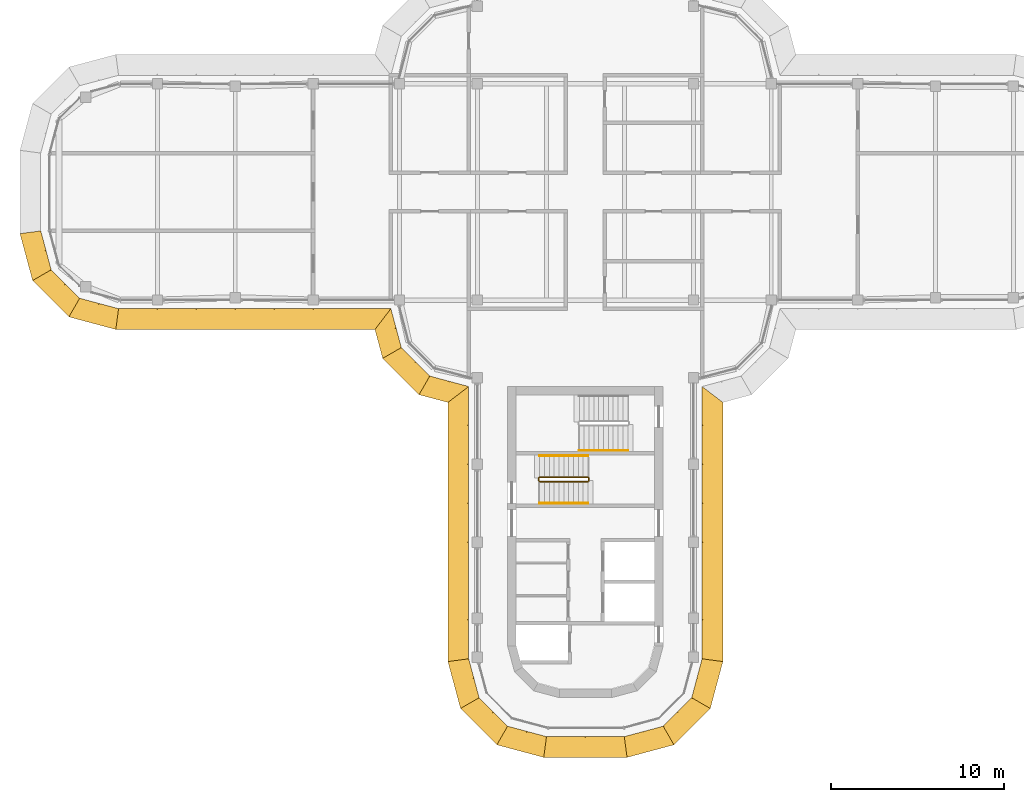
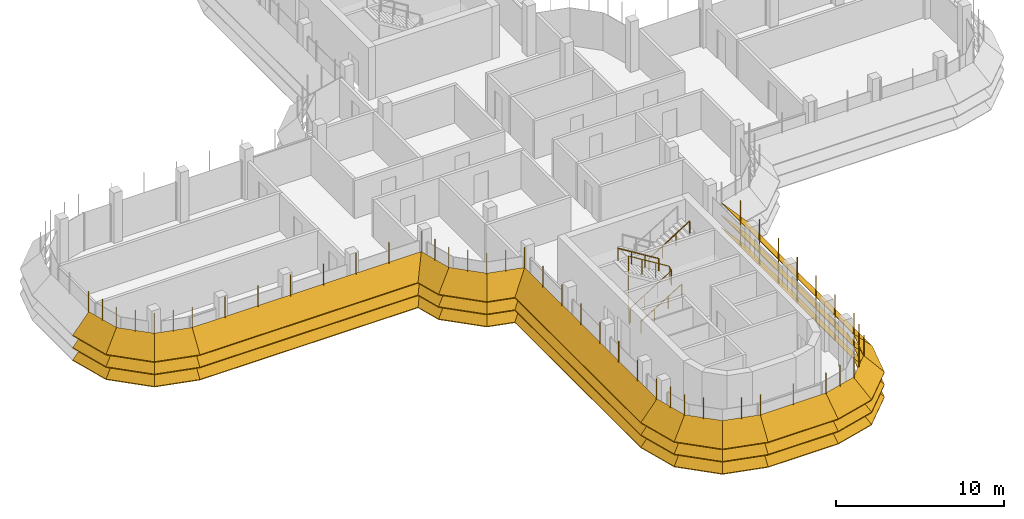
# One storey, part 16 of 19: 8 shading devices, 4 railings.
"""IFC4 building model written with IfcOpenShell, lengths in metres."""

from ifc_helpers import new_model, si_unit, direction, frame, origin, origin_2d, place, context, subcontext, project, spatial, polyline, circle, outline, extrude, faceted_brep, source, transform, mapped, material, type_object, element, save


model = new_model("IFC4")

# Units and contexts
model_context = context("Model", 3, precision=1e-05, world=origin(), true_north=direction((0.0, 1.0)))
body_context = subcontext(model_context, "Body", "Model", "MODEL_VIEW")
ifc_project = project(units=[si_unit("LENGTHUNIT", "METRE"), si_unit("AREAUNIT", "SQUARE_METRE"), si_unit("VOLUMEUNIT", "CUBIC_METRE"), si_unit("PLANEANGLEUNIT", "RADIAN"), si_unit("MASSUNIT", "GRAM", prefix="KILO")], contexts=[model_context])

# Site, building, storey
site_placement = place(None, origin())
site = spatial("IfcSite", under=ifc_project, at=site_placement, CompositionType="ELEMENT")
building_placement = place(site_placement, origin())
building = spatial("IfcBuilding", under=site, at=building_placement, Name="Zarbagh Exchange Tower", CompositionType="ELEMENT")
storey_placement = place(building_placement, frame((0.0, 0.0, 272.60009765625)))
storey = spatial("IfcBuildingStorey", under=building, at=storey_placement, Name="L67", CompositionType="ELEMENT", Elevation=272.60009765625)

# Railings
ifc_material_1 = material(Name="Stainless steel", Category="steel")
railing_type_1 = type_object("IfcRailingType", Name="Stair guard 1100 mm", PredefinedType="GUARDRAIL", material=ifc_material_1)
railing_1_placement = place(storey_placement, frame((-2.64990234375, -16.75, 0.172607421875)))
element("IfcRailing", 1, at=railing_1_placement, inside=storey, type_object=railing_type_1, Name="ST3 stair guard 1", PredefinedType="GUARDRAIL", context=body_context, shape_type="SweptSolid", body=[
    extrude(circle(Radius=0.02392578125, at=origin_2d()), frame((0.0, 0.0, 1.076171875), z_axis=(0.851069175582, 0.0, 0.525053576669), x_axis=(0.0, 1.0, 0.0)), (0.0, 0.0, 1.0), 3.289794921875),
    extrude(circle(Radius=0.02392578125, at=origin_2d()), frame((2.7998046875, 0.0, 2.80322265625), z_axis=(0.707106781187, 0.707106781187, 0.0), x_axis=(-0.707106781187, 0.707106781187, 0.0)), (0.0, 0.0, 1.0), 0.07080078125),
    extrude(circle(Radius=0.02392578125, at=origin_2d()), frame((2.849853515625, 0.050048828125, 2.80322265625), z_axis=(0.0, 1.0, 0.0), x_axis=(-1.0, 0.0, 0.0)), (0.0, 0.0, 1.0), 0.14990234375),
    extrude(circle(Radius=0.02392578125, at=origin_2d()), frame((2.849853515625, 0.199951171875, 2.80322265625), z_axis=(-0.268277960024, 0.268277960024, 0.925231793839), x_axis=(-0.707106781187, -0.707106781187, 0.0)), (0.0, 0.0, 1.0), 0.1865234375),
    extrude(circle(Radius=0.02392578125, at=origin_2d()), frame((2.7998046875, 0.25, 2.97607421875), z_axis=(-0.851069175582, 0.0, 0.525053576669), x_axis=(0.0, -1.0, 0.0)), (0.0, 0.0, 1.0), 3.289794921875),
    extrude(circle(Radius=0.02392578125, at=origin_2d()), frame((0.0, 0.25, 4.703125), z_axis=(-0.013169136761, -0.013169136761, -0.999826558796), x_axis=(0.707106781187, -0.707106781187, 0.0)), (0.0, 0.0, 1.0), 3.800537109375),
    extrude(circle(Radius=0.02392578125, at=origin_2d()), frame((-0.050048828125, 0.199951171875, 0.9033203125), z_axis=(0.0, -1.0, 0.0), x_axis=(1.0, 0.0, 0.0)), (0.0, 0.0, 1.0), 0.14990234375),
    extrude(circle(Radius=0.02099609375, at=origin_2d()), origin(), (0.0, 0.0, 1.0), 1.052001953125),
    extrude(circle(Radius=0.02099609375, at=origin_2d()), frame((0.933349609375, 0.0, 0.57568359375)), (0.0, 0.0, 1.0), 1.052001953125),
    extrude(circle(Radius=0.02099609375, at=origin_2d()), frame((1.866455078125, 0.0, 1.151611328125)), (0.0, 0.0, 1.0), 1.052001953125),
    extrude(circle(Radius=0.02099609375, at=origin_2d()), frame((2.7998046875, 0.0, 1.727294921875)), (0.0, 0.0, 1.0), 1.052001953125),
    extrude(circle(Radius=0.02099609375, at=origin_2d()), frame((2.849853515625, 0.050048828125, 1.727294921875)), (0.0, 0.0, 1.0), 1.052001953125),
    extrude(circle(Radius=0.02099609375, at=origin_2d()), frame((2.849853515625, 0.199951171875, 1.727294921875)), (0.0, 0.0, 1.0), 1.052001953125),
    extrude(circle(Radius=0.02099609375, at=origin_2d()), frame((2.7998046875, 0.25, 1.89990234375)), (0.0, 0.0, 1.0), 1.052001953125),
    extrude(circle(Radius=0.02099609375, at=origin_2d()), frame((1.866455078125, 0.25, 2.4755859375)), (0.0, 0.0, 1.0), 1.052001953125),
    extrude(circle(Radius=0.02099609375, at=origin_2d()), frame((0.933349609375, 0.25, 3.051513671875)), (0.0, 0.0, 1.0), 1.052001953125),
    extrude(circle(Radius=0.02099609375, at=origin_2d()), frame((0.0, 0.25, 3.627197265625)), (0.0, 0.0, 1.0), 1.052001953125),
    extrude(circle(Radius=0.02099609375, at=origin_2d()), frame((-0.012451171875, 0.237548828125, 2.67724609375)), (0.0, 0.0, 1.0), 1.052001953125),
    extrude(circle(Radius=0.02099609375, at=origin_2d()), frame((-0.02490234375, 0.22509765625, 1.727294921875)), (0.0, 0.0, 1.0), 1.052001953125),
    extrude(circle(Radius=0.02099609375, at=origin_2d()), frame((-0.03759765625, 0.21240234375, 0.77734375)), (0.0, 0.0, 1.0), 1.052001953125),
    extrude(circle(Radius=0.02099609375, at=origin_2d()), frame((-0.050048828125, 0.199951171875, -0.172607421875)), (0.0, 0.0, 1.0), 1.052001953125),
    extrude(circle(Radius=0.02099609375, at=origin_2d()), frame((-0.050048828125, 0.050048828125, -0.172607421875)), (0.0, 0.0, 1.0), 1.052001953125),
])
railing_type_2 = type_object("IfcRailingType", Name="Stair handrail 900 mm", PredefinedType="HANDRAIL", material=ifc_material_1)
railing_2_placement = place(storey_placement, frame((-2.64990234375, -18.0, 0.172607421875)))
element("IfcRailing", 2, at=railing_2_placement, inside=storey, type_object=railing_type_2, Name="ST3 stair handrail 1", PredefinedType="HANDRAIL", context=body_context, shape_type="SweptSolid", body=[
    extrude(circle(Radius=0.02392578125, at=origin_2d()), frame((0.0, 0.0, 0.8759765625), z_axis=(0.851069175582, 0.0, 0.525053576669), x_axis=(0.0, 1.0, 0.0)), (0.0, 0.0, 1.0), 3.289794921875),
    extrude(circle(Radius=0.02099609375, at=origin_2d()), origin(), (0.0, 0.0, 1.0), 0.851806640625),
    extrude(circle(Radius=0.02099609375, at=origin_2d()), frame((0.933349609375, 0.0, 0.57568359375)), (0.0, 0.0, 1.0), 0.851806640625),
    extrude(circle(Radius=0.02099609375, at=origin_2d()), frame((1.866455078125, 0.0, 1.151611328125)), (0.0, 0.0, 1.0), 0.851806640625),
    extrude(circle(Radius=0.02099609375, at=origin_2d()), frame((2.7998046875, 0.0, 1.727294921875)), (0.0, 0.0, 1.0), 0.851806640625),
])
railing_3_placement = place(storey_placement, frame((0.14990234375, -15.25, 2.072509765625)))
element("IfcRailing", 3, at=railing_3_placement, inside=storey, type_object=railing_type_2, Name="ST3 stair handrail 2", PredefinedType="HANDRAIL", context=body_context, shape_type="SweptSolid", body=[
    extrude(circle(Radius=0.02392578125, at=origin_2d()), frame((0.0, 0.0, 0.8759765625), z_axis=(-0.851069175582, 0.0, 0.525053576669), x_axis=(0.0, -1.0, 0.0)), (0.0, 0.0, 1.0), 3.289794921875),
    extrude(circle(Radius=0.02099609375, at=origin_2d()), origin(), (0.0, 0.0, 1.0), 0.851806640625),
    extrude(circle(Radius=0.02099609375, at=origin_2d()), frame((-0.933349609375, 0.0, 0.57568359375)), (0.0, 0.0, 1.0), 0.851806640625),
    extrude(circle(Radius=0.02099609375, at=origin_2d()), frame((-1.866455078125, 0.0, 1.151611328125)), (0.0, 0.0, 1.0), 0.851806640625),
    extrude(circle(Radius=0.02099609375, at=origin_2d()), frame((-2.7998046875, 0.0, 1.727294921875)), (0.0, 0.0, 1.0), 0.851806640625),
])
railing_4_placement = place(storey_placement, frame((-0.35009765625, -14.949951171875, 2.072509765625)))
element("IfcRailing", 4, at=railing_4_placement, inside=storey, type_object=railing_type_2, Name="ST4 stair handrail 2", PredefinedType="HANDRAIL", context=body_context, shape_type="SweptSolid", body=[
    extrude(circle(Radius=0.02392578125, at=origin_2d()), frame((0.0, 0.0, 0.8759765625), z_axis=(0.851089632645, 0.0, 0.525020415988), x_axis=(0.0, 1.0, 0.0)), (0.0, 0.0, 1.0), 3.2900390625),
    extrude(circle(Radius=0.02099609375, at=origin_2d()), origin(), (0.0, 0.0, 1.0), 0.851806640625),
    extrude(circle(Radius=0.02099609375, at=origin_2d()), frame((0.933349609375, 0.0, 0.57568359375)), (0.0, 0.0, 1.0), 0.851806640625),
    extrude(circle(Radius=0.02099609375, at=origin_2d()), frame((1.86669921875, 0.0, 1.151611328125)), (0.0, 0.0, 1.0), 0.851806640625),
    extrude(circle(Radius=0.02099609375, at=origin_2d()), frame((2.800048828125, 0.0, 1.727294921875)), (0.0, 0.0, 1.0), 0.851806640625),
])

# Shading devices
ifc_material_2 = material(Name="Anodised aluminium blades and brackets", Category="aluminium")
shading_device_type = type_object("IfcShadingDeviceType", Name="SUNSHADE louvre band, 45 degree blades", PredefinedType="JALOUSIE", material=ifc_material_2)
shared_shape_1 = source(origin(), body_context, "Body", "Brep", [
    faceted_brep([(0.0, 0.0, 0.0), (0.0, 0.0, -0.056640625), (-0.157958984375, -1.199951171875, -1.256591796875), (-0.157958984375, -1.199951171875, -1.199951171875), (2.65087890625, -1.199951171875, -1.199951171875), (2.65087890625, -1.199951171875, -1.256591796875), (2.329345703125, 0.0, -0.056640625), (2.329345703125, 0.0, 0.0)], [[[0, 1, 2, 3]], [[4, 5, 6, 7]], [[0, 7, 6, 1]], [[1, 6, 5, 2]], [[2, 5, 4, 3]], [[3, 4, 7, 0]]]),
])
shared_shape_2 = source(origin(), body_context, "Body", "Brep", [
    faceted_brep([(0.0, 0.0, 0.0), (0.0, 0.0, -0.056640625), (-0.321533203125, -1.199951171875, -1.256591796875), (-0.321533203125, -1.199951171875, -1.199951171875), (2.65087890625, -1.199951171875, -1.199951171875), (2.65087890625, -1.199951171875, -1.256591796875), (2.329345703125, 0.0, -0.056640625), (2.329345703125, 0.0, 0.0)], [[[0, 1, 2, 3]], [[4, 5, 6, 7]], [[0, 7, 6, 1]], [[1, 6, 5, 2]], [[2, 5, 4, 3]], [[3, 4, 7, 0]]]),
])
shared_shape_3 = source(origin(), body_context, "Body", "Brep", [
    faceted_brep([(0.0, 0.0, 0.0), (0.0, 0.0, -0.056640625), (-0.321533203125, -1.199951171875, -1.256591796875), (-0.321533203125, -1.199951171875, -1.199951171875), (2.4873046875, -1.199951171875, -1.199951171875), (2.4873046875, -1.199951171875, -1.256591796875), (2.329345703125, 0.0, -0.056640625), (2.329345703125, 0.0, 0.0)], [[[0, 1, 2, 3]], [[4, 5, 6, 7]], [[0, 7, 6, 1]], [[1, 6, 5, 2]], [[2, 5, 4, 3]], [[3, 4, 7, 0]]]),
])
shared_shape_4 = source(origin(), body_context, "Body", "SweptSolid", [
    extrude(outline(polyline([(0.0, -0.012451171875), (0.06005859375, -0.012451171875), (0.06005859375, 0.012451171875), (0.0, 0.012451171875), (0.0, -0.012451171875)])), origin(), (0.0, 0.0, 1.0), 3.366455078125),
])
placement = place(storey_placement, origin())
element("IfcShadingDevice", 5, at=placement, inside=storey, type_object=shading_device_type, Name="SS35 sunshade band", PredefinedType="JALOUSIE", context=body_context, shape_type="MappedRepresentation", body=[
    mapped(shared_shape_1, transform((2.25, -31.5, 2.2998046875), x_axis=(0.965924289636, 0.258824779902, 0.0), y_axis=(-0.258824779902, 0.965924289636, 0.0), z_axis=(0.0, 0.0, 1.0))),
    mapped(shared_shape_1, transform((2.25, -31.5, 1.39990234375), x_axis=(0.965924289636, 0.258824779902, 0.0), y_axis=(-0.258824779902, 0.965924289636, 0.0), z_axis=(0.0, 0.0, 1.0))),
    mapped(shared_shape_1, transform((2.25, -31.5, 0.5), x_axis=(0.965924289636, 0.258824779902, 0.0), y_axis=(-0.258824779902, 0.965924289636, 0.0), z_axis=(0.0, 0.0, 1.0))),
    mapped(shared_shape_2, transform((4.5, -30.897216796875, 2.2998046875), x_axis=(0.707106781187, 0.707106781187, 0.0), y_axis=(-0.707106781187, 0.707106781187, 0.0), z_axis=(0.0, 0.0, 1.0))),
    mapped(shared_shape_2, transform((4.5, -30.897216796875, 1.39990234375), x_axis=(0.707106781187, 0.707106781187, 0.0), y_axis=(-0.707106781187, 0.707106781187, 0.0), z_axis=(0.0, 0.0, 1.0))),
    mapped(shared_shape_2, transform((4.5, -30.897216796875, 0.5), x_axis=(0.707106781187, 0.707106781187, 0.0), y_axis=(-0.707106781187, 0.707106781187, 0.0), z_axis=(0.0, 0.0, 1.0))),
    mapped(shared_shape_3, transform((6.147216796875, -29.25, 2.2998046875), x_axis=(0.258824779902, 0.965924289636, 0.0), y_axis=(-0.965924289636, 0.258824779902, 0.0), z_axis=(0.0, 0.0, 1.0))),
    mapped(shared_shape_3, transform((6.147216796875, -29.25, 1.39990234375), x_axis=(0.258824779902, 0.965924289636, 0.0), y_axis=(-0.965924289636, 0.258824779902, 0.0), z_axis=(0.0, 0.0, 1.0))),
    mapped(shared_shape_3, transform((6.147216796875, -29.25, 0.5), x_axis=(0.258824779902, 0.965924289636, 0.0), y_axis=(-0.965924289636, 0.258824779902, 0.0), z_axis=(0.0, 0.0, 1.0))),
    mapped(shared_shape_4, transform((2.25, -31.5, 0.413330078125), x_axis=(0.130529263012, -0.991444457092, 0.0), y_axis=(0.991444457092, 0.130529263012, 0.0), z_axis=(0.0, 0.0, 1.0))),
    mapped(shared_shape_4, transform((3.375, -31.198486328125, 0.413330078125), x_axis=(0.258825058029, -0.96592421511, 0.0), y_axis=(0.96592421511, 0.258825058029, 0.0), z_axis=(0.0, 0.0, 1.0))),
    mapped(shared_shape_4, transform((4.5, -30.897216796875, 0.413330078125), x_axis=(0.50000275701, -0.866023812018, 0.0), y_axis=(0.866023812018, 0.50000275701, 0.0), z_axis=(0.0, 0.0, 1.0))),
    mapped(shared_shape_4, transform((5.323486328125, -30.073486328125, 0.413330078125), x_axis=(0.707106781187, -0.707106781187, 0.0), y_axis=(0.707106781187, 0.707106781187, 0.0), z_axis=(0.0, 0.0, 1.0))),
    mapped(shared_shape_4, transform((6.147216796875, -29.25, 0.413330078125), x_axis=(0.866023812018, -0.50000275701, 0.0), y_axis=(0.50000275701, 0.866023812018, 0.0), z_axis=(0.0, 0.0, 1.0))),
    mapped(shared_shape_4, transform((6.448486328125, -28.125, 0.413330078125), x_axis=(0.96592421511, -0.258825058029, 0.0), y_axis=(0.258825058029, 0.96592421511, 0.0), z_axis=(0.0, 0.0, 1.0))),
])
element("IfcShadingDevice", 6, at=placement, inside=storey, type_object=shading_device_type, Name="SS43 sunshade band", PredefinedType="JALOUSIE", context=body_context, shape_type="MappedRepresentation", body=[
    mapped(shared_shape_1, transform((-31.5, -2.25, 2.2998046875), x_axis=(0.258824779902, -0.965924289636, 0.0), y_axis=(0.965924289636, 0.258824779902, 0.0), z_axis=(0.0, 0.0, 1.0))),
    mapped(shared_shape_1, transform((-31.5, -2.25, 1.39990234375), x_axis=(0.258824779902, -0.965924289636, 0.0), y_axis=(0.965924289636, 0.258824779902, 0.0), z_axis=(0.0, 0.0, 1.0))),
    mapped(shared_shape_1, transform((-31.5, -2.25, 0.5), x_axis=(0.258824779902, -0.965924289636, 0.0), y_axis=(0.965924289636, 0.258824779902, 0.0), z_axis=(0.0, 0.0, 1.0))),
    mapped(shared_shape_2, transform((-30.897216796875, -4.5, 2.2998046875), x_axis=(0.707106781187, -0.707106781187, 0.0), y_axis=(0.707106781187, 0.707106781187, 0.0), z_axis=(0.0, 0.0, 1.0))),
    mapped(shared_shape_2, transform((-30.897216796875, -4.5, 1.39990234375), x_axis=(0.707106781187, -0.707106781187, 0.0), y_axis=(0.707106781187, 0.707106781187, 0.0), z_axis=(0.0, 0.0, 1.0))),
    mapped(shared_shape_2, transform((-30.897216796875, -4.5, 0.5), x_axis=(0.707106781187, -0.707106781187, 0.0), y_axis=(0.707106781187, 0.707106781187, 0.0), z_axis=(0.0, 0.0, 1.0))),
    mapped(shared_shape_3, transform((-29.25, -6.147216796875, 2.2998046875), x_axis=(0.965924289636, -0.258824779902, 0.0), y_axis=(0.258824779902, 0.965924289636, 0.0), z_axis=(0.0, 0.0, 1.0))),
    mapped(shared_shape_3, transform((-29.25, -6.147216796875, 1.39990234375), x_axis=(0.965924289636, -0.258824779902, 0.0), y_axis=(0.258824779902, 0.965924289636, 0.0), z_axis=(0.0, 0.0, 1.0))),
    mapped(shared_shape_3, transform((-29.25, -6.147216796875, 0.5), x_axis=(0.965924289636, -0.258824779902, 0.0), y_axis=(0.258824779902, 0.965924289636, 0.0), z_axis=(0.0, 0.0, 1.0))),
    mapped(shared_shape_4, transform((-31.5, -2.25, 0.413330078125), x_axis=(-0.991444457092, -0.130529263012, 0.0), y_axis=(0.130529263012, -0.991444457092, 0.0), z_axis=(0.0, 0.0, 1.0))),
    mapped(shared_shape_4, transform((-31.198486328125, -3.375, 0.413330078125), x_axis=(-0.96592421511, -0.258825058029, 0.0), y_axis=(0.258825058029, -0.96592421511, 0.0), z_axis=(0.0, 0.0, 1.0))),
    mapped(shared_shape_4, transform((-30.897216796875, -4.5, 0.413330078125), x_axis=(-0.866023812018, -0.50000275701, 0.0), y_axis=(0.50000275701, -0.866023812018, 0.0), z_axis=(0.0, 0.0, 1.0))),
    mapped(shared_shape_4, transform((-30.073486328125, -5.323486328125, 0.413330078125), x_axis=(-0.707106781187, -0.707106781187, 0.0), y_axis=(0.707106781187, -0.707106781187, 0.0), z_axis=(0.0, 0.0, 1.0))),
    mapped(shared_shape_4, transform((-29.25, -6.147216796875, 0.413330078125), x_axis=(-0.50000275701, -0.866023812018, 0.0), y_axis=(0.866023812018, -0.50000275701, 0.0), z_axis=(0.0, 0.0, 1.0))),
    mapped(shared_shape_4, transform((-28.125, -6.448486328125, 0.413330078125), x_axis=(-0.258825058029, -0.96592421511, 0.0), y_axis=(0.96592421511, -0.258825058029, 0.0), z_axis=(0.0, 0.0, 1.0))),
])
element("IfcShadingDevice", 7, at=placement, inside=storey, type_object=shading_device_type, Name="SS38 sunshade band", PredefinedType="JALOUSIE", context=body_context, shape_type="MappedRepresentation", body=[
    mapped(shared_shape_1, transform((-6.75, -27.0, 2.2998046875), x_axis=(0.258824779902, -0.965924289636, 0.0), y_axis=(0.965924289636, 0.258824779902, 0.0), z_axis=(0.0, 0.0, 1.0))),
    mapped(shared_shape_1, transform((-6.75, -27.0, 1.39990234375), x_axis=(0.258824779902, -0.965924289636, 0.0), y_axis=(0.965924289636, 0.258824779902, 0.0), z_axis=(0.0, 0.0, 1.0))),
    mapped(shared_shape_1, transform((-6.75, -27.0, 0.5), x_axis=(0.258824779902, -0.965924289636, 0.0), y_axis=(0.965924289636, 0.258824779902, 0.0), z_axis=(0.0, 0.0, 1.0))),
    mapped(shared_shape_2, transform((-6.147216796875, -29.25, 2.2998046875), x_axis=(0.707106781187, -0.707106781187, 0.0), y_axis=(0.707106781187, 0.707106781187, 0.0), z_axis=(0.0, 0.0, 1.0))),
    mapped(shared_shape_2, transform((-6.147216796875, -29.25, 1.39990234375), x_axis=(0.707106781187, -0.707106781187, 0.0), y_axis=(0.707106781187, 0.707106781187, 0.0), z_axis=(0.0, 0.0, 1.0))),
    mapped(shared_shape_2, transform((-6.147216796875, -29.25, 0.5), x_axis=(0.707106781187, -0.707106781187, 0.0), y_axis=(0.707106781187, 0.707106781187, 0.0), z_axis=(0.0, 0.0, 1.0))),
    mapped(shared_shape_3, transform((-4.5, -30.897216796875, 2.2998046875), x_axis=(0.965924289636, -0.258824779902, 0.0), y_axis=(0.258824779902, 0.965924289636, 0.0), z_axis=(0.0, 0.0, 1.0))),
    mapped(shared_shape_3, transform((-4.5, -30.897216796875, 1.39990234375), x_axis=(0.965924289636, -0.258824779902, 0.0), y_axis=(0.258824779902, 0.965924289636, 0.0), z_axis=(0.0, 0.0, 1.0))),
    mapped(shared_shape_3, transform((-4.5, -30.897216796875, 0.5), x_axis=(0.965924289636, -0.258824779902, 0.0), y_axis=(0.258824779902, 0.965924289636, 0.0), z_axis=(0.0, 0.0, 1.0))),
    mapped(shared_shape_4, transform((-6.75, -27.0, 0.413330078125), x_axis=(-0.991444457092, -0.130529263012, 0.0), y_axis=(0.130529263012, -0.991444457092, 0.0), z_axis=(0.0, 0.0, 1.0))),
    mapped(shared_shape_4, transform((-6.448486328125, -28.125, 0.413330078125), x_axis=(-0.96592421511, -0.258825058029, 0.0), y_axis=(0.258825058029, -0.96592421511, 0.0), z_axis=(0.0, 0.0, 1.0))),
    mapped(shared_shape_4, transform((-6.147216796875, -29.25, 0.413330078125), x_axis=(-0.866023812018, -0.50000275701, 0.0), y_axis=(0.50000275701, -0.866023812018, 0.0), z_axis=(0.0, 0.0, 1.0))),
    mapped(shared_shape_4, transform((-5.323486328125, -30.073486328125, 0.413330078125), x_axis=(-0.707106781187, -0.707106781187, 0.0), y_axis=(0.707106781187, -0.707106781187, 0.0), z_axis=(0.0, 0.0, 1.0))),
    mapped(shared_shape_4, transform((-4.5, -30.897216796875, 0.413330078125), x_axis=(-0.50000275701, -0.866023812018, 0.0), y_axis=(0.866023812018, -0.50000275701, 0.0), z_axis=(0.0, 0.0, 1.0))),
    mapped(shared_shape_4, transform((-3.375, -31.198486328125, 0.413330078125), x_axis=(-0.258825058029, -0.96592421511, 0.0), y_axis=(0.96592421511, -0.258825058029, 0.0), z_axis=(0.0, 0.0, 1.0))),
])
shared_shape_5 = source(origin(), body_context, "Body", "Brep", [
    faceted_brep([(0.0, 0.0, 0.0), (0.0, 0.0, -0.056640625), (0.9208984375, -1.199951171875, -1.256591796875), (0.9208984375, -1.199951171875, -1.199951171875), (2.65087890625, -1.199951171875, -1.199951171875), (2.65087890625, -1.199951171875, -1.256591796875), (2.329345703125, 0.0, -0.056640625), (2.329345703125, 0.0, 0.0)], [[[0, 1, 2, 3]], [[4, 5, 6, 7]], [[0, 7, 6, 1]], [[1, 6, 5, 2]], [[2, 5, 4, 3]], [[3, 4, 7, 0]]]),
])
shared_shape_6 = source(origin(), body_context, "Body", "Brep", [
    faceted_brep([(0.0, 0.0, 0.0), (0.0, 0.0, -0.056640625), (-0.321533203125, -1.199951171875, -1.256591796875), (-0.321533203125, -1.199951171875, -1.199951171875), (1.40869140625, -1.199951171875, -1.199951171875), (1.40869140625, -1.199951171875, -1.256591796875), (2.329345703125, 0.0, -0.056640625), (2.329345703125, 0.0, 0.0)], [[[0, 1, 2, 3]], [[4, 5, 6, 7]], [[0, 7, 6, 1]], [[1, 6, 5, 2]], [[2, 5, 4, 3]], [[3, 4, 7, 0]]]),
])
element("IfcShadingDevice", 8, at=placement, inside=storey, type_object=shading_device_type, Name="SS21 sunshade band", PredefinedType="JALOUSIE", context=body_context, shape_type="MappedRepresentation", body=[
    mapped(shared_shape_5, transform((-11.25, -6.75, 2.2998046875), x_axis=(0.258824779902, -0.965924289636, 0.0), y_axis=(0.965924289636, 0.258824779902, 0.0), z_axis=(0.0, 0.0, 1.0))),
    mapped(shared_shape_5, transform((-11.25, -6.75, 1.39990234375), x_axis=(0.258824779902, -0.965924289636, 0.0), y_axis=(0.965924289636, 0.258824779902, 0.0), z_axis=(0.0, 0.0, 1.0))),
    mapped(shared_shape_5, transform((-11.25, -6.75, 0.5), x_axis=(0.258824779902, -0.965924289636, 0.0), y_axis=(0.965924289636, 0.258824779902, 0.0), z_axis=(0.0, 0.0, 1.0))),
    mapped(shared_shape_2, transform((-10.647216796875, -9.0, 2.2998046875), x_axis=(0.707106781187, -0.707106781187, 0.0), y_axis=(0.707106781187, 0.707106781187, 0.0), z_axis=(0.0, 0.0, 1.0))),
    mapped(shared_shape_2, transform((-10.647216796875, -9.0, 1.39990234375), x_axis=(0.707106781187, -0.707106781187, 0.0), y_axis=(0.707106781187, 0.707106781187, 0.0), z_axis=(0.0, 0.0, 1.0))),
    mapped(shared_shape_2, transform((-10.647216796875, -9.0, 0.5), x_axis=(0.707106781187, -0.707106781187, 0.0), y_axis=(0.707106781187, 0.707106781187, 0.0), z_axis=(0.0, 0.0, 1.0))),
    mapped(shared_shape_6, transform((-9.0, -10.647216796875, 2.2998046875), x_axis=(0.965924289636, -0.258824779902, 0.0), y_axis=(0.258824779902, 0.965924289636, 0.0), z_axis=(0.0, 0.0, 1.0))),
    mapped(shared_shape_6, transform((-9.0, -10.647216796875, 1.39990234375), x_axis=(0.965924289636, -0.258824779902, 0.0), y_axis=(0.258824779902, 0.965924289636, 0.0), z_axis=(0.0, 0.0, 1.0))),
    mapped(shared_shape_6, transform((-9.0, -10.647216796875, 0.5), x_axis=(0.965924289636, -0.258824779902, 0.0), y_axis=(0.258824779902, 0.965924289636, 0.0), z_axis=(0.0, 0.0, 1.0))),
    mapped(shared_shape_4, transform((-11.25, -6.75, 0.413330078125), x_axis=(-0.608758892, -0.793355287, 0.0), y_axis=(0.793355287, -0.608758892, 0.0), z_axis=(0.0, 0.0, 1.0))),
    mapped(shared_shape_4, transform((-10.948486328125, -7.875, 0.413330078125), x_axis=(-0.96592421511, -0.258825058029, 0.0), y_axis=(0.258825058029, -0.96592421511, 0.0), z_axis=(0.0, 0.0, 1.0))),
    mapped(shared_shape_4, transform((-10.647216796875, -9.0, 0.413330078125), x_axis=(-0.866023812018, -0.50000275701, 0.0), y_axis=(0.50000275701, -0.866023812018, 0.0), z_axis=(0.0, 0.0, 1.0))),
    mapped(shared_shape_4, transform((-9.823486328125, -9.823486328125, 0.413330078125), x_axis=(-0.707106781187, -0.707106781187, 0.0), y_axis=(0.707106781187, -0.707106781187, 0.0), z_axis=(0.0, 0.0, 1.0))),
    mapped(shared_shape_4, transform((-9.0, -10.647216796875, 0.413330078125), x_axis=(-0.50000275701, -0.866023812018, 0.0), y_axis=(0.866023812018, -0.50000275701, 0.0), z_axis=(0.0, 0.0, 1.0))),
    mapped(shared_shape_4, transform((-7.875, -10.948486328125, 0.413330078125), x_axis=(-0.258825058029, -0.96592421511, 0.0), y_axis=(0.96592421511, -0.258825058029, 0.0), z_axis=(0.0, 0.0, 1.0))),
])
shared_shape_7 = source(origin(), body_context, "Body", "Brep", [
    faceted_brep([(0.0, 0.0, 0.0), (0.0, 0.0, -0.056640625), (-0.157958984375, -1.199951171875, -1.256591796875), (-0.157958984375, -1.199951171875, -1.199951171875), (14.8291015625, -1.199951171875, -1.199951171875), (14.8291015625, -1.199951171875, -1.256591796875), (15.75, 0.0, -0.056640625), (15.75, 0.0, 0.0)], [[[0, 1, 2, 3]], [[4, 5, 6, 7]], [[0, 7, 6, 1]], [[1, 6, 5, 2]], [[2, 5, 4, 3]], [[3, 4, 7, 0]]]),
])
element("IfcShadingDevice", 9, at=placement, inside=storey, type_object=shading_device_type, Name="SS36 sunshade band", PredefinedType="JALOUSIE", context=body_context, shape_type="MappedRepresentation", body=[
    mapped(shared_shape_7, transform((6.75, -27.0, 2.2998046875), x_axis=(0.0, 1.0, 0.0), y_axis=(-1.0, 0.0, 0.0), z_axis=(0.0, 0.0, 1.0))),
    mapped(shared_shape_7, transform((6.75, -27.0, 1.39990234375), x_axis=(0.0, 1.0, 0.0), y_axis=(-1.0, 0.0, 0.0), z_axis=(0.0, 0.0, 1.0))),
    mapped(shared_shape_7, transform((6.75, -27.0, 0.5), x_axis=(0.0, 1.0, 0.0), y_axis=(-1.0, 0.0, 0.0), z_axis=(0.0, 0.0, 1.0))),
    mapped(shared_shape_4, transform((6.75, -27.0, 0.413330078125), x_axis=(0.991444457092, -0.130529263012, 0.0), y_axis=(0.130529263012, 0.991444457092, 0.0), z_axis=(0.0, 0.0, 1.0))),
    mapped(shared_shape_4, transform((6.75, -24.75, 0.413330078125), x_axis=(1.0, 0.0, 0.0), y_axis=(0.0, 1.0, 0.0), z_axis=(0.0, 0.0, 1.0))),
    mapped(shared_shape_4, transform((6.75, -22.5, 0.413330078125), x_axis=(1.0, 0.0, 0.0), y_axis=(0.0, 1.0, 0.0), z_axis=(0.0, 0.0, 1.0))),
    mapped(shared_shape_4, transform((6.75, -20.25, 0.413330078125), x_axis=(1.0, 0.0, 0.0), y_axis=(0.0, 1.0, 0.0), z_axis=(0.0, 0.0, 1.0))),
    mapped(shared_shape_4, transform((6.75, -18.0, 0.413330078125), x_axis=(1.0, 0.0, 0.0), y_axis=(0.0, 1.0, 0.0), z_axis=(0.0, 0.0, 1.0))),
    mapped(shared_shape_4, transform((6.75, -15.75, 0.413330078125), x_axis=(1.0, 0.0, 0.0), y_axis=(0.0, 1.0, 0.0), z_axis=(0.0, 0.0, 1.0))),
    mapped(shared_shape_4, transform((6.75, -13.5, 0.413330078125), x_axis=(1.0, 0.0, 0.0), y_axis=(0.0, 1.0, 0.0), z_axis=(0.0, 0.0, 1.0))),
])
element("IfcShadingDevice", 10, at=placement, inside=storey, type_object=shading_device_type, Name="SS44 sunshade band", PredefinedType="JALOUSIE", context=body_context, shape_type="MappedRepresentation", body=[
    mapped(shared_shape_7, transform((-27.0, -6.75, 2.2998046875), x_axis=(1.0, 0.0, 0.0), y_axis=(0.0, 1.0, 0.0), z_axis=(0.0, 0.0, 1.0))),
    mapped(shared_shape_7, transform((-27.0, -6.75, 1.39990234375), x_axis=(1.0, 0.0, 0.0), y_axis=(0.0, 1.0, 0.0), z_axis=(0.0, 0.0, 1.0))),
    mapped(shared_shape_7, transform((-27.0, -6.75, 0.5), x_axis=(1.0, 0.0, 0.0), y_axis=(0.0, 1.0, 0.0), z_axis=(0.0, 0.0, 1.0))),
    mapped(shared_shape_4, transform((-27.0, -6.75, 0.413330078125), x_axis=(-0.130529263012, -0.991444457092, 0.0), y_axis=(0.991444457092, -0.130529263012, 0.0), z_axis=(0.0, 0.0, 1.0))),
    mapped(shared_shape_4, transform((-24.75, -6.75, 0.413330078125), x_axis=(0.0, -1.0, 0.0), y_axis=(1.0, 0.0, 0.0), z_axis=(0.0, 0.0, 1.0))),
    mapped(shared_shape_4, transform((-22.5, -6.75, 0.413330078125), x_axis=(0.0, -1.0, 0.0), y_axis=(1.0, 0.0, 0.0), z_axis=(0.0, 0.0, 1.0))),
    mapped(shared_shape_4, transform((-20.25, -6.75, 0.413330078125), x_axis=(0.0, -1.0, 0.0), y_axis=(1.0, 0.0, 0.0), z_axis=(0.0, 0.0, 1.0))),
    mapped(shared_shape_4, transform((-18.0, -6.75, 0.413330078125), x_axis=(0.0, -1.0, 0.0), y_axis=(1.0, 0.0, 0.0), z_axis=(0.0, 0.0, 1.0))),
    mapped(shared_shape_4, transform((-15.75, -6.75, 0.413330078125), x_axis=(0.0, -1.0, 0.0), y_axis=(1.0, 0.0, 0.0), z_axis=(0.0, 0.0, 1.0))),
    mapped(shared_shape_4, transform((-13.5, -6.75, 0.413330078125), x_axis=(0.0, -1.0, 0.0), y_axis=(1.0, 0.0, 0.0), z_axis=(0.0, 0.0, 1.0))),
])
shared_shape_8 = source(origin(), body_context, "Body", "Brep", [
    faceted_brep([(0.0, 0.0, 0.0), (0.0, 0.0, -0.056640625), (0.9208984375, -1.199951171875, -1.256591796875), (0.9208984375, -1.199951171875, -1.199951171875), (15.907958984375, -1.199951171875, -1.199951171875), (15.907958984375, -1.199951171875, -1.256591796875), (15.75, 0.0, -0.056640625), (15.75, 0.0, 0.0)], [[[0, 1, 2, 3]], [[4, 5, 6, 7]], [[0, 7, 6, 1]], [[1, 6, 5, 2]], [[2, 5, 4, 3]], [[3, 4, 7, 0]]]),
])
element("IfcShadingDevice", 11, at=placement, inside=storey, type_object=shading_device_type, Name="SS37 sunshade band", PredefinedType="JALOUSIE", context=body_context, shape_type="MappedRepresentation", body=[
    mapped(shared_shape_8, transform((-6.75, -11.25, 2.2998046875), x_axis=(0.0, -1.0, 0.0), y_axis=(1.0, 0.0, 0.0), z_axis=(0.0, 0.0, 1.0))),
    mapped(shared_shape_8, transform((-6.75, -11.25, 1.39990234375), x_axis=(0.0, -1.0, 0.0), y_axis=(1.0, 0.0, 0.0), z_axis=(0.0, 0.0, 1.0))),
    mapped(shared_shape_8, transform((-6.75, -11.25, 0.5), x_axis=(0.0, -1.0, 0.0), y_axis=(1.0, 0.0, 0.0), z_axis=(0.0, 0.0, 1.0))),
    mapped(shared_shape_4, transform((-6.75, -11.25, 0.413330078125), x_axis=(-0.793355287, -0.608758892, 0.0), y_axis=(0.608758892, -0.793355287, 0.0), z_axis=(0.0, 0.0, 1.0))),
    mapped(shared_shape_4, transform((-6.75, -13.5, 0.413330078125), x_axis=(-1.0, 0.0, 0.0), y_axis=(0.0, -1.0, 0.0), z_axis=(0.0, 0.0, 1.0))),
    mapped(shared_shape_4, transform((-6.75, -15.75, 0.413330078125), x_axis=(-1.0, 0.0, 0.0), y_axis=(0.0, -1.0, 0.0), z_axis=(0.0, 0.0, 1.0))),
    mapped(shared_shape_4, transform((-6.75, -18.0, 0.413330078125), x_axis=(-1.0, 0.0, 0.0), y_axis=(0.0, -1.0, 0.0), z_axis=(0.0, 0.0, 1.0))),
    mapped(shared_shape_4, transform((-6.75, -20.25, 0.413330078125), x_axis=(-1.0, 0.0, 0.0), y_axis=(0.0, -1.0, 0.0), z_axis=(0.0, 0.0, 1.0))),
    mapped(shared_shape_4, transform((-6.75, -22.5, 0.413330078125), x_axis=(-1.0, 0.0, 0.0), y_axis=(0.0, -1.0, 0.0), z_axis=(0.0, 0.0, 1.0))),
    mapped(shared_shape_4, transform((-6.75, -24.75, 0.413330078125), x_axis=(-1.0, 0.0, 0.0), y_axis=(0.0, -1.0, 0.0), z_axis=(0.0, 0.0, 1.0))),
])
shared_shape_9 = source(origin(), body_context, "Body", "Brep", [
    faceted_brep([(0.0, 0.0, 0.0), (0.0, 0.0, -0.056640625), (-0.157958984375, -1.199951171875, -1.256591796875), (-0.157958984375, -1.199951171875, -1.199951171875), (4.657958984375, -1.199951171875, -1.199951171875), (4.657958984375, -1.199951171875, -1.256591796875), (4.5, 0.0, -0.056640625), (4.5, 0.0, 0.0)], [[[0, 1, 2, 3]], [[4, 5, 6, 7]], [[0, 7, 6, 1]], [[1, 6, 5, 2]], [[2, 5, 4, 3]], [[3, 4, 7, 0]]]),
])
element("IfcShadingDevice", 12, at=placement, inside=storey, type_object=shading_device_type, Name="SS39 sunshade band", PredefinedType="JALOUSIE", context=body_context, shape_type="MappedRepresentation", body=[
    mapped(shared_shape_9, transform((-2.25, -31.5, 2.2998046875), x_axis=(1.0, 0.0, 0.0), y_axis=(0.0, 1.0, 0.0), z_axis=(0.0, 0.0, 1.0))),
    mapped(shared_shape_9, transform((-2.25, -31.5, 1.39990234375), x_axis=(1.0, 0.0, 0.0), y_axis=(0.0, 1.0, 0.0), z_axis=(0.0, 0.0, 1.0))),
    mapped(shared_shape_9, transform((-2.25, -31.5, 0.5), x_axis=(1.0, 0.0, 0.0), y_axis=(0.0, 1.0, 0.0), z_axis=(0.0, 0.0, 1.0))),
    mapped(shared_shape_4, transform((-2.25, -31.5, 0.413330078125), x_axis=(-0.130529263012, -0.991444457092, 0.0), y_axis=(0.991444457092, -0.130529263012, 0.0), z_axis=(0.0, 0.0, 1.0))),
    mapped(shared_shape_4, transform((0.0, -31.5, 0.413330078125), x_axis=(0.0, -1.0, 0.0), y_axis=(1.0, 0.0, 0.0), z_axis=(0.0, 0.0, 1.0))),
])

save(model, "model.ifc")
